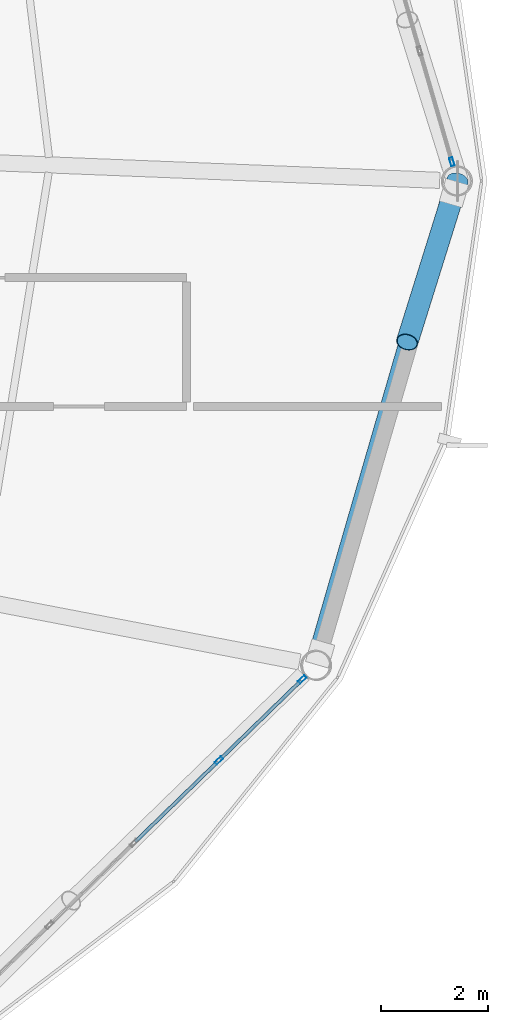
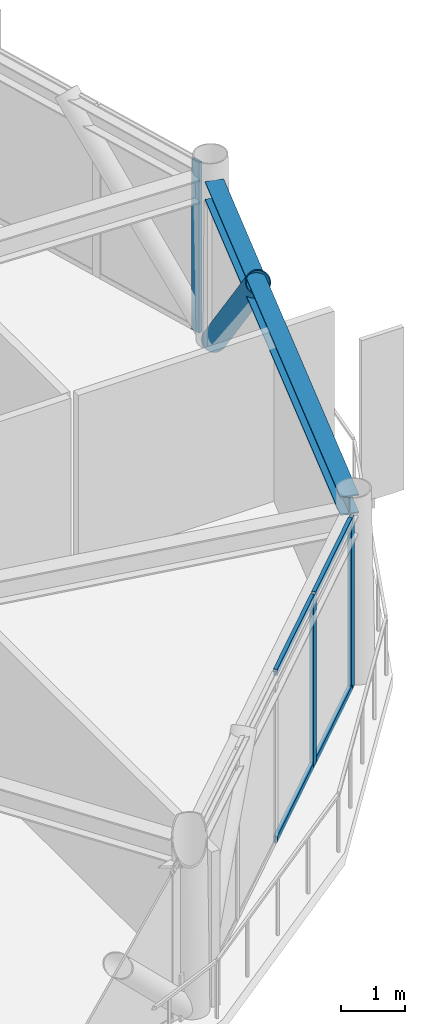
# One storey, part 16 of 28: 8 members, 1 beam, 2 elements without a shape of their own.
"""IFC4 building model written with IfcOpenShell, lengths in metres."""

from ifc_helpers import new_model, si_unit, direction, frame, origin, origin_2d, place, context, subcontext, project, spatial, hollow_rectangle, hollow_circle, i_section, extrude, material, layer, layer_set, material_profile, profile_set, type_object, element, aggregate, save


model = new_model("IFC4")

# Units and contexts
model_context = context("Model", 3, precision=1e-05, world=origin(), true_north=direction((0.0, 1.0)))
body_context = subcontext(model_context, "Body", "Model", "MODEL_VIEW")
ifc_project = project(units=[si_unit("LENGTHUNIT", "METRE"), si_unit("AREAUNIT", "SQUARE_METRE"), si_unit("VOLUMEUNIT", "CUBIC_METRE"), si_unit("PLANEANGLEUNIT", "RADIAN"), si_unit("MASSUNIT", "GRAM", prefix="KILO")], contexts=[model_context])

# Site, building, storey
site_placement = place(None, origin())
site = spatial("IfcSite", under=ifc_project, at=site_placement, CompositionType="ELEMENT")
building_placement = place(site_placement, origin())
building = spatial("IfcBuilding", under=site, at=building_placement, Name="Varnakorn Sky Granary", CompositionType="ELEMENT")
storey_placement = place(building_placement, frame((0.0, 0.0, 236.39990234375)))
storey = spatial("IfcBuildingStorey", under=building, at=storey_placement, Name="L60", CompositionType="ELEMENT", Elevation=236.39990234375)

# Beam
ifc_material_1 = material(Name="Steel S355JR", Category="steel")
ifc_material_profile_1 = material_profile(ifc_material_1, i_section(OverallWidth=0.300048828125, OverallDepth=0.360107421875, WebThickness=0.012451171875, FlangeThickness=0.0224609375, at=origin_2d()), Name="HE 360 B")
ifc_profile_set_1 = profile_set([ifc_material_profile_1], Name="Steel S355JR")
beam_type = type_object("IfcBeamType", Name="BM-SPD-Z5", PredefinedType="SPANDREL", material=ifc_profile_set_1)
beam_placement = place(storey_placement, frame((20.941650390625, -8.74853515625, 3.070068359375), z_axis=(0.278746965236, 0.960364581485, 0.0), x_axis=(-0.960364581485, 0.278746965236, 0.0)))
element("IfcBeam", 1, at=beam_placement, inside=storey, type_object=beam_type, Name="Perimeter Spandrel Ring Beam RB12 L60", PredefinedType="SPANDREL", context=body_context, shape_type="SweptSolid", body=[
    extrude(i_section(OverallWidth=0.300048828125, OverallDepth=0.360107421875, WebThickness=0.012451171875, FlangeThickness=0.0224609375, at=origin_2d()), origin(), (0.0, 0.0, 1.0), 8.84521484375),
])

# Curtain wall, member
ifc_material_2 = material(Name="Anodised Bronze Aluminium Alloy 6063-T6", Category="aluminium")
ifc_layer = layer(ifc_material_2, 0.159912109375, Name="Anodised Bronze Aluminium Alloy 6063-T6")
ifc_layer_set = layer_set([ifc_layer], Name="Anodised Bronze Aluminium Alloy 6063-T6")
curtain_wall_type = type_object("IfcCurtainWallType", Name="CW-OFF-1", PredefinedType="USERDEFINED", material=ifc_layer_set)
curtain_wall_1_placement = place(storey_placement, origin())
curtain_wall_1 = element("IfcCurtainWall", 2, at=curtain_wall_1_placement, inside=storey, type_object=curtain_wall_type, Name="Unitised Curtain Wall CW6 CW-L60-B01", ObjectType="CURTAIN WALL", PredefinedType="USERDEFINED")
ifc_material_profile_2 = material_profile(ifc_material_2, hollow_rectangle(XDim=0.06494140625, YDim=0.159912109375, WallThickness=0.00341796875, at=origin_2d()), Name="ALU MULL 65x160")
ifc_profile_set_2 = profile_set([ifc_material_profile_2], Name="Anodised Bronze Aluminium Alloy 6063-T6")
member_type_1 = type_object("IfcMemberType", Name="CW-OFF-1-MULL", PredefinedType="MULLION", material=ifc_profile_set_2)
member_1_placement = place(storey_placement, frame((23.444091796875, 0.357177734375, 0.0), z_axis=(0.0, 0.0, 1.0), x_axis=(0.960250122015, 0.279141009475, 0.0)))
member_1 = element("IfcMember", 3, at=member_1_placement, type_object=member_type_1, Name="CW6 mullion 5", PredefinedType="MULLION", context=body_context, shape_type="SweptSolid", body=[
    extrude(hollow_rectangle(XDim=0.06494140625, YDim=0.159912109375, WallThickness=0.00341796875, at=origin_2d()), origin(), (0.0, 0.0, 1.0), 3.25),
])
aggregate(curtain_wall_1, [member_1])

# Curtain wall, members
curtain_wall_2_placement = place(storey_placement, origin())
curtain_wall_2 = element("IfcCurtainWall", 4, at=curtain_wall_2_placement, inside=storey, type_object=curtain_wall_type, Name="Unitised Curtain Wall CW6 CW-L60-B11", ObjectType="CURTAIN WALL", PredefinedType="USERDEFINED")
member_2_placement = place(storey_placement, frame((20.6591796875, -9.27880859375, 0.0), z_axis=(0.0, 0.0, 1.0), x_axis=(0.69691520137, -0.717153541509, 0.0)))
member_2 = element("IfcMember", 5, at=member_2_placement, type_object=member_type_1, Name="CW6 mullion 1", PredefinedType="MULLION", context=body_context, shape_type="SweptSolid", body=[
    extrude(hollow_rectangle(XDim=0.06494140625, YDim=0.159912109375, WallThickness=0.00341796875, at=origin_2d()), origin(), (0.0, 0.0, 1.0), 3.25),
])
member_3_placement = place(storey_placement, frame((19.105712890625, -10.78857421875, 0.0), z_axis=(0.0, 0.0, 1.0), x_axis=(0.69691520137, -0.717153541509, 0.0)))
member_3 = element("IfcMember", 6, at=member_3_placement, type_object=member_type_1, Name="CW6 mullion 2", PredefinedType="MULLION", context=body_context, shape_type="SweptSolid", body=[
    extrude(hollow_rectangle(XDim=0.06494140625, YDim=0.159912109375, WallThickness=0.00341796875, at=origin_2d()), origin(), (0.0, 0.0, 1.0), 3.25),
])
ifc_material_profile_3 = material_profile(ifc_material_2, hollow_rectangle(XDim=0.06494140625, YDim=0.1201171875, WallThickness=0.00341796875, at=origin_2d()), Name="ALU TRAN 65x120")
ifc_profile_set_3 = profile_set([ifc_material_profile_3], Name="Anodised Bronze Aluminium Alloy 6063-T6")
member_type_2 = type_object("IfcMemberType", Name="CW-OFF-1-TRAN", PredefinedType="USERDEFINED", material=ifc_profile_set_3)
member_4_placement = place(storey_placement, frame((20.635986328125, -9.301513671875, 0.03271484375), z_axis=(-0.717199741061, -0.696867657036, 0.0), x_axis=(0.696867657036, -0.717199741061, 0.0)))
member_4 = element("IfcMember", 7, at=member_4_placement, type_object=member_type_2, Name="CW6 transom 1.1", ObjectType="TRANSOM", PredefinedType="USERDEFINED", context=body_context, shape_type="SweptSolid", body=[
    extrude(hollow_rectangle(XDim=0.06494140625, YDim=0.1201171875, WallThickness=0.00341796875, at=origin_2d()), origin(), (0.0, 0.0, 1.0), 2.101318359375),
])
member_5_placement = place(storey_placement, frame((20.635986328125, -9.301513671875, 3.217529296875), z_axis=(-0.717199741061, -0.696867657036, 0.0), x_axis=(0.696867657036, -0.717199741061, 0.0)))
member_5 = element("IfcMember", 8, at=member_5_placement, type_object=member_type_2, Name="CW6 transom 1.2", ObjectType="TRANSOM", PredefinedType="USERDEFINED", context=body_context, shape_type="SweptSolid", body=[
    extrude(hollow_rectangle(XDim=0.06494140625, YDim=0.1201171875, WallThickness=0.00341796875, at=origin_2d()), origin(), (0.0, 0.0, 1.0), 2.101318359375),
])
member_6_placement = place(storey_placement, frame((19.082275390625, -10.81103515625, 0.03271484375), z_axis=(-0.71716010082, -0.696908451514, 0.0), x_axis=(0.696908451514, -0.71716010082, 0.0)))
member_6 = element("IfcMember", 9, at=member_6_placement, type_object=member_type_2, Name="CW6 transom 2.1", ObjectType="TRANSOM", PredefinedType="USERDEFINED", context=body_context, shape_type="SweptSolid", body=[
    extrude(hollow_rectangle(XDim=0.06494140625, YDim=0.1201171875, WallThickness=0.00341796875, at=origin_2d()), origin(), (0.0, 0.0, 1.0), 2.1337890625),
])
member_7_placement = place(storey_placement, frame((19.082275390625, -10.81103515625, 3.217529296875), z_axis=(-0.71716010082, -0.696908451514, 0.0), x_axis=(0.696908451514, -0.71716010082, 0.0)))
member_7 = element("IfcMember", 10, at=member_7_placement, type_object=member_type_2, Name="CW6 transom 2.2", ObjectType="TRANSOM", PredefinedType="USERDEFINED", context=body_context, shape_type="SweptSolid", body=[
    extrude(hollow_rectangle(XDim=0.06494140625, YDim=0.1201171875, WallThickness=0.00341796875, at=origin_2d()), origin(), (0.0, 0.0, 1.0), 2.1337890625),
])
aggregate(curtain_wall_2, [member_2, member_3, member_4, member_5, member_6, member_7])

# Member
ifc_material_3 = material(Name="Steel S460M", Category="steel")
ifc_material_profile_4 = material_profile(ifc_material_3, hollow_circle(Radius=0.203125, WallThickness=0.01611328125, at=origin_2d()), Name="CHS 406.4x16")
ifc_profile_set_4 = profile_set([ifc_material_profile_4], Name="Steel S460M")
member_type_3 = type_object("IfcMemberType", Name="MB-DIAG-T4", PredefinedType="BRACE", material=ifc_profile_set_4)
member_8_placement = place(storey_placement, frame((23.548095703125, 0.0, 0.0), z_axis=(-0.207436711369, -0.663613904071, 0.718739589211), x_axis=(0.954456485156, -0.298350159952, 0.0)))
element("IfcMember", 11, at=member_8_placement, inside=storey, type_object=member_type_3, Name="Perimeter CHS Diagrid Brace DG12 L60", PredefinedType="BRACE", context=body_context, shape_type="SweptSolid", body=[
    extrude(hollow_circle(Radius=0.203125, WallThickness=0.01611328125, at=origin_2d()), origin(), (0.0, 0.0, 1.0), 4.521728515625),
])

save(model, "model.ifc")
